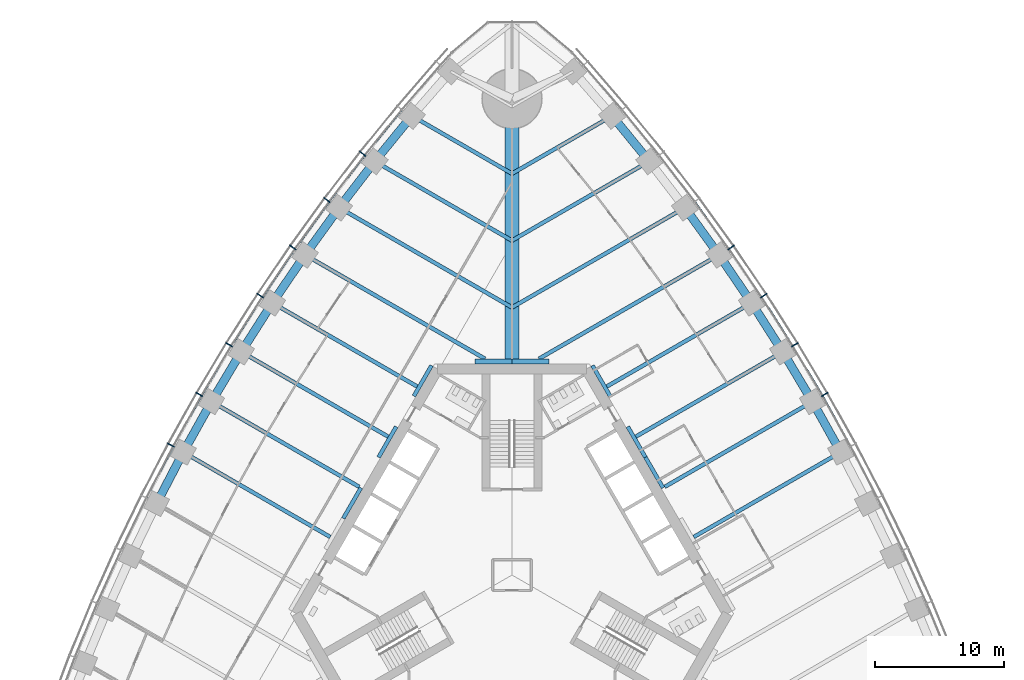
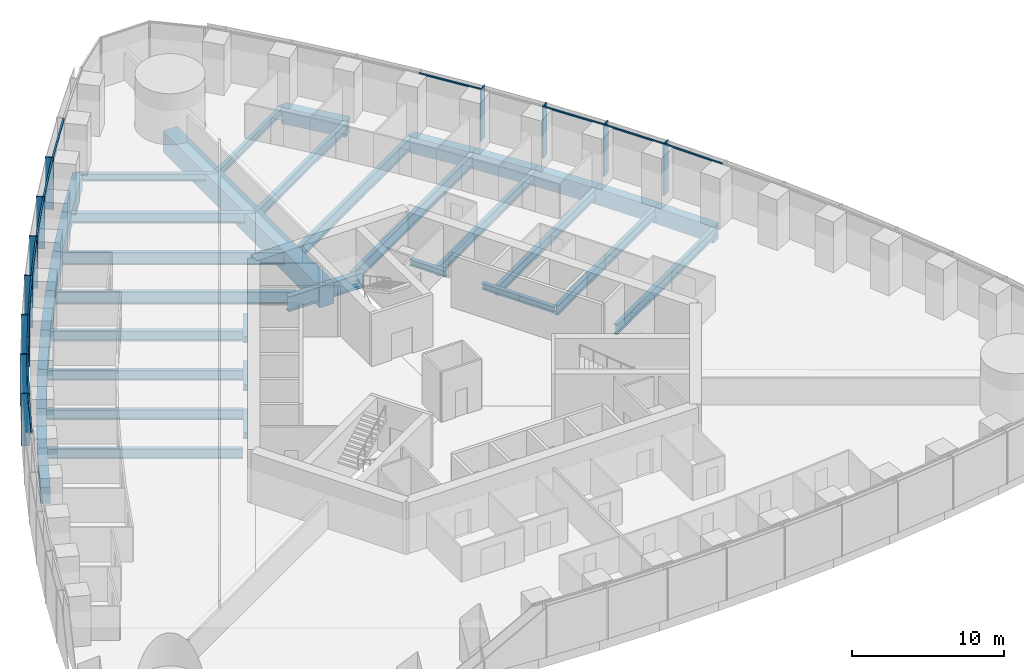
# One storey, part 4 of 18: 39 beams, 23 members, 2 elements without a shape of their own.
"""IFC4 building model written with IfcOpenShell, lengths in metres."""

from ifc_helpers import new_model, si_unit, direction, frame, origin, origin_2d, place, context, subcontext, project, spatial, rectangle, i_section, extrude, material, material_profile, profile_set, type_object, element, aggregate, save


model = new_model("IFC4")

# Units and contexts
model_context = context("Model", 3, precision=1e-05, world=origin(), true_north=direction((0.0, 1.0)))
body_context = subcontext(model_context, "Body", "Model", "MODEL_VIEW")
ifc_project = project(units=[si_unit("LENGTHUNIT", "METRE"), si_unit("AREAUNIT", "SQUARE_METRE"), si_unit("VOLUMEUNIT", "CUBIC_METRE"), si_unit("PLANEANGLEUNIT", "RADIAN"), si_unit("MASSUNIT", "GRAM", prefix="KILO")], contexts=[model_context])

# Site, building, storey
site_placement = place(None, origin())
site = spatial("IfcSite", under=ifc_project, at=site_placement, CompositionType="ELEMENT")
building_placement = place(site_placement, origin())
building = spatial("IfcBuilding", under=site, at=building_placement, Name="Trefoil Bronze Tower", CompositionType="ELEMENT")
storey_placement = place(building_placement, frame((0.0, 0.0, 24.89990234375)))
storey = spatial("IfcBuildingStorey", under=building, at=storey_placement, Name="L05", CompositionType="ELEMENT", Elevation=24.89990234375)

# Curtain wall, members
ifc_material_1 = material(Name="Tinted solar-control glass", Category="glass")
curtain_wall_type = type_object("IfcCurtainWallType", Name="Bronze office curtain wall", PredefinedType="USERDEFINED", material=ifc_material_1)
curtain_wall_1_placement = place(storey_placement, origin())
curtain_wall_1 = element("IfcCurtainWall", 1, at=curtain_wall_1_placement, inside=storey, type_object=curtain_wall_type, Name="CW-A L05 F2", ObjectType="CURTAIN WALL", PredefinedType="USERDEFINED")
ifc_material_2 = material(Name="Bronze-finish aluminium", Category="aluminium")
ifc_material_profile_1 = material_profile(ifc_material_2, rectangle(XDim=0.60009765625, YDim=0.080078125, at=origin_2d()), Name="CW-A mullion")
ifc_profile_set_1 = profile_set([ifc_material_profile_1], Name="Bronze-finish aluminium")
member_type_1 = type_object("IfcMemberType", Name="Bronze office curtain wall mullion", PredefinedType="MULLION", material=ifc_profile_set_1)
member_1_placement = place(storey_placement, frame((24.291015625, 14.0244140625, 0.0), z_axis=(0.0, 0.0, 1.0), x_axis=(-0.866025403784, -0.5, 0.0)))
member_1 = element("IfcMember", 2, at=member_1_placement, type_object=member_type_1, Name="CW-A L05 F2 mullion 9", PredefinedType="MULLION", context=body_context, shape_type="SweptSolid", body=[
    extrude(rectangle(XDim=0.60009765625, YDim=0.080078125, at=origin_2d()), origin(), (0.0, 0.0, 1.0), 4.18017578125),
])
member_2_placement = place(storey_placement, frame((21.97998046875, 17.896240234375, 0.0), z_axis=(0.0, 0.0, 1.0), x_axis=(-0.851149783004, -0.524922896141, 0.0)))
member_2 = element("IfcMember", 3, at=member_2_placement, type_object=member_type_1, Name="CW-A L05 F2 mullion 10", PredefinedType="MULLION", context=body_context, shape_type="SweptSolid", body=[
    extrude(rectangle(XDim=0.60009765625, YDim=0.080078125, at=origin_2d()), origin(), (0.0, 0.0, 1.0), 4.18017578125),
])
member_3_placement = place(storey_placement, frame((19.555419921875, 21.70263671875, 0.0), z_axis=(0.0, 0.0, 1.0), x_axis=(-0.835543651684, -0.549424067665, 0.0)))
member_3 = element("IfcMember", 4, at=member_3_placement, type_object=member_type_1, Name="CW-A L05 F2 mullion 11", PredefinedType="MULLION", context=body_context, shape_type="SweptSolid", body=[
    extrude(rectangle(XDim=0.60009765625, YDim=0.080078125, at=origin_2d()), origin(), (0.0, 0.0, 1.0), 4.18017578125),
])
member_4_placement = place(storey_placement, frame((17.01708984375, 25.443359375, 0.0), z_axis=(0.0, 0.0, 1.0), x_axis=(-0.819204207116, -0.573501932903, 0.0)))
member_4 = element("IfcMember", 5, at=member_4_placement, type_object=member_type_1, Name="CW-A L05 F2 mullion 12", PredefinedType="MULLION", context=body_context, shape_type="SweptSolid", body=[
    extrude(rectangle(XDim=0.60009765625, YDim=0.080078125, at=origin_2d()), origin(), (0.0, 0.0, 1.0), 4.18017578125),
])

curtain_wall_2_placement = place(storey_placement, origin())
curtain_wall_2 = element("IfcCurtainWall", 6, at=curtain_wall_2_placement, inside=storey, type_object=curtain_wall_type, Name="CW-A L05 F3", ObjectType="CURTAIN WALL", PredefinedType="USERDEFINED")
member_5_placement = place(storey_placement, frame((-11.595458984375, 32.7255859375, 0.0), z_axis=(0.0, 0.0, 1.0), x_axis=(0.784304615744, -0.620375910011, 0.0)))
member_5 = element("IfcMember", 7, at=member_5_placement, type_object=member_type_1, Name="CW-A L05 F3 mullion 4", PredefinedType="MULLION", context=body_context, shape_type="SweptSolid", body=[
    extrude(rectangle(XDim=0.60009765625, YDim=0.080078125, at=origin_2d()), origin(), (0.0, 0.0, 1.0), 4.18017578125),
])
member_6_placement = place(storey_placement, frame((-14.364013671875, 29.117919921875, 0.0), z_axis=(0.0, 0.0, 1.0), x_axis=(0.802126748469, -0.59715381552, 0.0)))
member_6 = element("IfcMember", 8, at=member_6_placement, type_object=member_type_1, Name="CW-A L05 F3 mullion 5", PredefinedType="MULLION", context=body_context, shape_type="SweptSolid", body=[
    extrude(rectangle(XDim=0.60009765625, YDim=0.080078125, at=origin_2d()), origin(), (0.0, 0.0, 1.0), 4.18017578125),
])
member_7_placement = place(storey_placement, frame((-17.01708984375, 25.443359375, 0.0), z_axis=(0.0, 0.0, 1.0), x_axis=(0.819204207116, -0.573501932903, 0.0)))
member_7 = element("IfcMember", 9, at=member_7_placement, type_object=member_type_1, Name="CW-A L05 F3 mullion 6", PredefinedType="MULLION", context=body_context, shape_type="SweptSolid", body=[
    extrude(rectangle(XDim=0.60009765625, YDim=0.080078125, at=origin_2d()), origin(), (0.0, 0.0, 1.0), 4.18017578125),
])
member_8_placement = place(storey_placement, frame((-19.555419921875, 21.70263671875, 0.0), z_axis=(0.0, 0.0, 1.0), x_axis=(0.835543651684, -0.549424067665, 0.0)))
member_8 = element("IfcMember", 10, at=member_8_placement, type_object=member_type_1, Name="CW-A L05 F3 mullion 7", PredefinedType="MULLION", context=body_context, shape_type="SweptSolid", body=[
    extrude(rectangle(XDim=0.60009765625, YDim=0.080078125, at=origin_2d()), origin(), (0.0, 0.0, 1.0), 4.18017578125),
])
member_9_placement = place(storey_placement, frame((-21.97998046875, 17.896240234375, 0.0), z_axis=(0.0, 0.0, 1.0), x_axis=(0.851149783004, -0.524922896141, 0.0)))
member_9 = element("IfcMember", 11, at=member_9_placement, type_object=member_type_1, Name="CW-A L05 F3 mullion 8", PredefinedType="MULLION", context=body_context, shape_type="SweptSolid", body=[
    extrude(rectangle(XDim=0.60009765625, YDim=0.080078125, at=origin_2d()), origin(), (0.0, 0.0, 1.0), 4.18017578125),
])
member_10_placement = place(storey_placement, frame((-24.291015625, 14.0244140625, 0.0), z_axis=(0.0, 0.0, 1.0), x_axis=(0.866025403784, -0.5, 0.0)))
member_10 = element("IfcMember", 12, at=member_10_placement, type_object=member_type_1, Name="CW-A L05 F3 mullion 9", PredefinedType="MULLION", context=body_context, shape_type="SweptSolid", body=[
    extrude(rectangle(XDim=0.60009765625, YDim=0.080078125, at=origin_2d()), origin(), (0.0, 0.0, 1.0), 4.18017578125),
])
member_11_placement = place(storey_placement, frame((-26.488525390625, 10.0869140625, 0.0), z_axis=(0.0, 0.0, 1.0), x_axis=(0.880171454588, -0.474655886437, 0.0)))
member_11 = element("IfcMember", 13, at=member_11_placement, type_object=member_type_1, Name="CW-A L05 F3 mullion 10", PredefinedType="MULLION", context=body_context, shape_type="SweptSolid", body=[
    extrude(rectangle(XDim=0.60009765625, YDim=0.080078125, at=origin_2d()), origin(), (0.0, 0.0, 1.0), 4.18017578125),
])

# Member
ifc_material_3 = material(Name="Bronze-finish aluminium", Category="aluminium")
ifc_material_profile_2 = material_profile(ifc_material_3, rectangle(XDim=0.1201171875, YDim=0.10009765625, at=origin_2d()), Name="CW-A transom")
ifc_profile_set_2 = profile_set([ifc_material_profile_2], Name="Bronze-finish aluminium")
member_type_2 = type_object("IfcMemberType", Name="Bronze office curtain wall transom", PredefinedType="USERDEFINED", material=ifc_profile_set_2)
member_12_placement = place(storey_placement, frame((26.29248046875, 10.0283203125, 4.130126953125), z_axis=(-0.487400435348, 0.873178570295, 0.0), x_axis=(-0.873178570295, -0.487400435348, 0.0)))
member_12 = element("IfcMember", 14, at=member_12_placement, type_object=member_type_2, Name="CW-A L05 F2 transom 8", ObjectType="TRANSOM", PredefinedType="USERDEFINED", context=body_context, shape_type="SweptSolid", body=[
    extrude(rectangle(XDim=0.1201171875, YDim=0.10009765625, at=origin_2d()), origin(), (0.0, 0.0, 1.0), 4.42041015625),
])

member_13_placement = place(storey_placement, frame((24.096435546875, 13.9599609375, 4.130126953125), z_axis=(-0.512536988879, 0.858665147209, 0.0), x_axis=(-0.858665147209, -0.512536988879, 0.0)))
member_13 = element("IfcMember", 15, at=member_13_placement, type_object=member_type_2, Name="CW-A L05 F2 transom 9", ObjectType="TRANSOM", PredefinedType="USERDEFINED", context=body_context, shape_type="SweptSolid", body=[
    extrude(rectangle(XDim=0.1201171875, YDim=0.10009765625, at=origin_2d()), origin(), (0.0, 0.0, 1.0), 4.42041015625),
])

member_14_placement = place(storey_placement, frame((21.787353515625, 17.826171875, 4.130126953125), z_axis=(-0.537196807268, 0.843456928515, 0.0), x_axis=(-0.843456928515, -0.537196807268, 0.0)))
member_14 = element("IfcMember", 16, at=member_14_placement, type_object=member_type_2, Name="CW-A L05 F2 transom 10", ObjectType="TRANSOM", PredefinedType="USERDEFINED", context=body_context, shape_type="SweptSolid", body=[
    extrude(rectangle(XDim=0.1201171875, YDim=0.10009765625, at=origin_2d()), origin(), (0.0, 0.0, 1.0), 4.42431640625),
])

member_15_placement = place(storey_placement, frame((16.828857421875, 25.3623046875, 4.130126953125), z_axis=(-0.585378207433, 0.81076035563, 0.0), x_axis=(-0.81076035563, -0.585378207433, 0.0)))
member_15 = element("IfcMember", 17, at=member_15_placement, type_object=member_type_2, Name="CW-A L05 F2 transom 12", ObjectType="TRANSOM", PredefinedType="USERDEFINED", context=body_context, shape_type="SweptSolid", body=[
    extrude(rectangle(XDim=0.1201171875, YDim=0.10009765625, at=origin_2d()), origin(), (0.0, 0.0, 1.0), 4.443359375),
])

aggregate(curtain_wall_1, [member_1, member_2, member_3, member_4, member_12, member_13, member_14, member_15])

member_16_placement = place(storey_placement, frame((-8.582763671875, 36.10498046875, 4.130126953125), z_axis=(-0.631835540201, -0.775102477185, 0.0), x_axis=(0.775102477185, -0.631835540201, 0.0)))
member_16 = element("IfcMember", 18, at=member_16_placement, type_object=member_type_2, Name="CW-A L05 F3 transom 3", ObjectType="TRANSOM", PredefinedType="USERDEFINED", context=body_context, shape_type="SweptSolid", body=[
    extrude(rectangle(XDim=0.1201171875, YDim=0.10009765625, at=origin_2d()), origin(), (0.0, 0.0, 1.0), 4.478271484375),
])

member_17_placement = place(storey_placement, frame((-11.4638671875, 32.568603515625, 4.130126953125), z_axis=(-0.608829203216, -0.793301330713, 0.0), x_axis=(0.793301330713, -0.608829203216, 0.0)))
member_17 = element("IfcMember", 19, at=member_17_placement, type_object=member_type_2, Name="CW-A L05 F3 transom 4", ObjectType="TRANSOM", PredefinedType="USERDEFINED", context=body_context, shape_type="SweptSolid", body=[
    extrude(rectangle(XDim=0.1201171875, YDim=0.10009765625, at=origin_2d()), origin(), (0.0, 0.0, 1.0), 4.458740234375),
])

member_18_placement = place(storey_placement, frame((-14.227783203125, 28.96484375, 4.130126953125), z_axis=(-0.585378207433, -0.81076035563, 0.0), x_axis=(0.81076035563, -0.585378207433, 0.0)))
member_18 = element("IfcMember", 20, at=member_18_placement, type_object=member_type_2, Name="CW-A L05 F3 transom 5", ObjectType="TRANSOM", PredefinedType="USERDEFINED", context=body_context, shape_type="SweptSolid", body=[
    extrude(rectangle(XDim=0.1201171875, YDim=0.10009765625, at=origin_2d()), origin(), (0.0, 0.0, 1.0), 4.443359375),
])

member_19_placement = place(storey_placement, frame((-16.87646484375, 25.29443359375, 4.130126953125), z_axis=(-0.561508153923, -0.827471203775, 0.0), x_axis=(0.827471203775, -0.561508153923, 0.0)))
member_19 = element("IfcMember", 21, at=member_19_placement, type_object=member_type_2, Name="CW-A L05 F3 transom 6", ObjectType="TRANSOM", PredefinedType="USERDEFINED", context=body_context, shape_type="SweptSolid", body=[
    extrude(rectangle(XDim=0.1201171875, YDim=0.10009765625, at=origin_2d()), origin(), (0.0, 0.0, 1.0), 4.431884765625),
])

member_20_placement = place(storey_placement, frame((-19.41064453125, 21.557861328125, 4.130126953125), z_axis=(-0.537196807268, -0.843456928515, 0.0), x_axis=(0.843456928515, -0.537196807268, 0.0)))
member_20 = element("IfcMember", 22, at=member_20_placement, type_object=member_type_2, Name="CW-A L05 F3 transom 7", ObjectType="TRANSOM", PredefinedType="USERDEFINED", context=body_context, shape_type="SweptSolid", body=[
    extrude(rectangle(XDim=0.1201171875, YDim=0.10009765625, at=origin_2d()), origin(), (0.0, 0.0, 1.0), 4.42431640625),
])

member_21_placement = place(storey_placement, frame((-21.830810546875, 17.755615234375, 4.130126953125), z_axis=(-0.512536988879, -0.858665147209, 0.0), x_axis=(0.858665147209, -0.512536988879, 0.0)))
member_21 = element("IfcMember", 23, at=member_21_placement, type_object=member_type_2, Name="CW-A L05 F3 transom 8", ObjectType="TRANSOM", PredefinedType="USERDEFINED", context=body_context, shape_type="SweptSolid", body=[
    extrude(rectangle(XDim=0.1201171875, YDim=0.10009765625, at=origin_2d()), origin(), (0.0, 0.0, 1.0), 4.42041015625),
])

member_22_placement = place(storey_placement, frame((-24.137939453125, 13.88818359375, 4.130126953125), z_axis=(-0.487400435348, -0.873178570295, 0.0), x_axis=(0.873178570295, -0.487400435348, 0.0)))
member_22 = element("IfcMember", 24, at=member_22_placement, type_object=member_type_2, Name="CW-A L05 F3 transom 9", ObjectType="TRANSOM", PredefinedType="USERDEFINED", context=body_context, shape_type="SweptSolid", body=[
    extrude(rectangle(XDim=0.1201171875, YDim=0.10009765625, at=origin_2d()), origin(), (0.0, 0.0, 1.0), 4.42041015625),
])

member_23_placement = place(storey_placement, frame((-26.331787109375, 9.955322265625, 4.130126953125), z_axis=(-0.461809621225, -0.886979071762, 0.0), x_axis=(0.886979071762, -0.461809621225, 0.0)))
member_23 = element("IfcMember", 25, at=member_23_placement, type_object=member_type_2, Name="CW-A L05 F3 transom 10", ObjectType="TRANSOM", PredefinedType="USERDEFINED", context=body_context, shape_type="SweptSolid", body=[
    extrude(rectangle(XDim=0.1201171875, YDim=0.10009765625, at=origin_2d()), origin(), (0.0, 0.0, 1.0), 4.42431640625),
])

aggregate(curtain_wall_2, [member_5, member_6, member_7, member_8, member_9, member_10, member_11, member_16, member_17, member_18, member_19, member_20, member_21, member_22, member_23])

# Beams
ifc_material_4 = material(Name="Steel C355", Category="steel")
ifc_material_profile_3 = material_profile(ifc_material_4, i_section(OverallWidth=0.300048828125, OverallDepth=0.5, WebThickness=0.014404296875, FlangeThickness=0.028076171875, FilletRadius=0.027099609375, at=origin_2d()), Name="HEB 500")
ifc_profile_set_3 = profile_set([ifc_material_profile_3], Name="Steel C355")
beam_type_1 = type_object("IfcBeamType", Name="Core seat beam HEB 500", PredefinedType="BEAM", material=ifc_profile_set_3)
for number, where, z_axis, x_axis, name in (
    (26, (11.734619140625, 6.77490234375, -0.449951171875), (-0.499969057507, 0.866043267704, 0.0), (-0.866043267704, -0.499969057507, 0.0), "Core seat beam F2/+0 L05"),
    (27, (10.363525390625, 9.14990234375, -0.449951171875), (-0.500035825175, 0.866004719122, 0.0), (-0.866004719122, -0.500035825175, 0.0), "Core seat beam F2/+1 L05"),
    (28, (7.62109375, 13.89990234375, -0.449951171875), (-0.500035825175, 0.866004719122, 0.0), (-0.866004719122, -0.500035825175, 0.0), "Core seat beam F2/+2 L05"),
    (29, (-6.249755859375, 16.27490234375, -0.449951171875), (-0.500035825175, -0.866004719122, 0.0), (0.866004719122, -0.500035825175, 0.0), "Core seat beam F3/-2 L05"),
    (30, (-8.9921875, 11.52490234375, -0.449951171875), (-0.500035825175, -0.866004719122, 0.0), (0.866004719122, -0.500035825175, 0.0), "Core seat beam F3/-1 L05"),
    (31, (-11.734619140625, 6.77490234375, -0.449951171875), (-0.500035825175, -0.866004719122, 0.0), (0.866004719122, -0.500035825175, 0.0), "Core seat beam F3/+0 L05"),
):
    element("IfcBeam", number, at=place(storey_placement, frame(where, z_axis=z_axis, x_axis=x_axis)), inside=storey, type_object=beam_type_1, Name=name, PredefinedType="BEAM", context=body_context, shape_type="SweptSolid", body=[
        extrude(i_section(OverallWidth=0.300048828125, OverallDepth=0.5, WebThickness=0.014404296875, FlangeThickness=0.028076171875, FilletRadius=0.027099609375, at=origin_2d()), origin(), (0.0, 0.0, 1.0), 2.742431640625),
    ])
ifc_material_5 = material(Name="Steel C355", Category="steel")
ifc_material_profile_4 = material_profile(ifc_material_5, i_section(OverallWidth=0.39990234375, OverallDepth=1.199951171875, WebThickness=0.02001953125, FlangeThickness=0.0400390625, FilletRadius=0.010009765625, at=origin_2d()), Name="WPG 1200")
ifc_profile_set_4 = profile_set([ifc_material_profile_4], Name="Steel C355")
beam_type_2 = type_object("IfcBeamType", Name="Core seat beam WPG 1200", PredefinedType="BEAM", material=ifc_profile_set_4)
for number, where, z_axis, x_axis, name in (
    (32, (2.88671875, 16.60009765625, -0.7998046875), (-1.0, 0.0, 0.0), (0.0, -1.0, 0.0), "Core seat beam F2/+3 L05"),
    (33, (0.0, 16.60009765625, -0.7998046875), (-1.0, 0.0, 0.0), (0.0, -1.0, 0.0), "Core seat beam F3/-3 L05"),
):
    element("IfcBeam", number, at=place(storey_placement, frame(where, z_axis=z_axis, x_axis=x_axis)), inside=storey, type_object=beam_type_2, Name=name, PredefinedType="BEAM", context=body_context, shape_type="SweptSolid", body=[
        extrude(i_section(OverallWidth=0.39990234375, OverallDepth=1.199951171875, WebThickness=0.02001953125, FlangeThickness=0.0400390625, FilletRadius=0.010009765625, at=origin_2d()), origin(), (0.0, 0.0, 1.0), 2.88671875),
    ])
ifc_material_6 = material(Name="Concrete B80", Category="concrete")
ifc_material_profile_5 = material_profile(ifc_material_6, rectangle(XDim=1.10009765625, YDim=1.699951171875, at=origin_2d()), Name="RC 1100x1700")
ifc_profile_set_5 = profile_set([ifc_material_profile_5], Name="Concrete B80")
beam_type_3 = type_object("IfcBeamType", Name="Corner girder RC 1100x1700", PredefinedType="BEAM", material=ifc_profile_set_5)
beam_1_placement = place(storey_placement, frame((0.0, 16.39990234375, -1.0498046875), z_axis=(0.0, 1.0, 0.0), x_axis=(-1.0, 0.0, 0.0)))
element("IfcBeam", 34, at=beam_1_placement, inside=storey, type_object=beam_type_3, Name="Corner girder K2 L05", PredefinedType="BEAM", context=body_context, shape_type="SweptSolid", body=[
    extrude(rectangle(XDim=1.10009765625, YDim=1.699951171875, at=origin_2d()), origin(), (0.0, 0.0, 1.0), 20.60009765625),
])
ifc_material_7 = material(Name="Steel C355", Category="steel")
ifc_material_profile_6 = material_profile(ifc_material_7, i_section(OverallWidth=0.300048828125, OverallDepth=0.590087890625, WebThickness=0.012939453125, FlangeThickness=0.02490234375, FilletRadius=0.027099609375, at=origin_2d()), Name="HEA 600")
ifc_profile_set_6 = profile_set([ifc_material_profile_6], Name="Steel C355")
beam_type_4 = type_object("IfcBeamType", Name="Floor beam HEA 600", PredefinedType="BEAM", material=ifc_profile_set_6)
for number, where, z_axis, x_axis, name in (
    (35, (7.7763671875, 35.666748046875, -0.494873046875), (-0.866022587327, -0.500004878216, 0.0), (0.500004878216, -0.866022587327, 0.0), "Floor beam F2/+6 L05"),
    (36, (-7.7763671875, 35.666748046875, -0.494873046875), (0.866022587327, -0.500004878216, 0.0), (0.500004878216, 0.866022587327, 0.0), "Floor beam F3/-6 L05"),
):
    element("IfcBeam", number, at=place(storey_placement, frame(where, z_axis=z_axis, x_axis=x_axis)), inside=storey, type_object=beam_type_4, Name=name, PredefinedType="BEAM", context=body_context, shape_type="SweptSolid", body=[
        extrude(i_section(OverallWidth=0.300048828125, OverallDepth=0.590087890625, WebThickness=0.012939453125, FlangeThickness=0.02490234375, FilletRadius=0.027099609375, at=origin_2d()), origin(), (0.0, 0.0, 1.0), 8.9794921875),
    ])
ifc_material_8 = material(Name="Steel C355", Category="steel")
ifc_material_profile_7 = material_profile(ifc_material_8, i_section(OverallWidth=0.300048828125, OverallDepth=1.0, WebThickness=0.01904296875, FlangeThickness=0.035888671875, FilletRadius=0.030029296875, at=origin_2d()), Name="HEB 1000")
ifc_profile_set_7 = profile_set([ifc_material_profile_7], Name="Steel C355")
beam_type_5 = type_object("IfcBeamType", Name="Floor beam HEB 1000", PredefinedType="BEAM", material=ifc_profile_set_7)
for number, where, z_axis, x_axis, name in (
    (37, (13.42578125, 28.5361328125, -0.699951171875), (-0.866022989816, -0.500004181093, 0.0), (0.500004181093, -0.866022989816, 0.0), "Floor beam F2/+4 L05"),
    (38, (-13.42578125, 28.5361328125, -0.699951171875), (0.866022989816, -0.500004181093, 0.0), (0.500004181093, 0.866022989816, 0.0), "Floor beam F3/-4 L05"),
):
    element("IfcBeam", number, at=place(storey_placement, frame(where, z_axis=z_axis, x_axis=x_axis)), inside=storey, type_object=beam_type_5, Name=name, PredefinedType="BEAM", context=body_context, shape_type="SweptSolid", body=[
        extrude(i_section(OverallWidth=0.300048828125, OverallDepth=1.0, WebThickness=0.01904296875, FlangeThickness=0.035888671875, FilletRadius=0.030029296875, at=origin_2d()), origin(), (0.0, 0.0, 1.0), 15.502685546875),
    ])
ifc_material_9 = material(Name="Steel C355", Category="steel")
ifc_material_profile_8 = material_profile(ifc_material_9, i_section(OverallWidth=0.300048828125, OverallDepth=0.800048828125, WebThickness=0.017578125, FlangeThickness=0.032958984375, FilletRadius=0.030029296875, at=origin_2d()), Name="HEB 800")
ifc_profile_set_8 = profile_set([ifc_material_profile_8], Name="Steel C355")
beam_type_6 = type_object("IfcBeamType", Name="Floor beam HEB 800", PredefinedType="BEAM", material=ifc_profile_set_8)
beam_2_placement = place(storey_placement, frame((25.531494140625, 9.54443359375, -0.599853515625), z_axis=(-0.866027071639, -0.499997111179, 0.0), x_axis=(0.499997111179, -0.866027071639, 0.0)))
element("IfcBeam", 39, at=beam_2_placement, inside=storey, type_object=beam_type_6, Name="Floor beam F2/-1 L05", PredefinedType="BEAM", context=body_context, shape_type="SweptSolid", body=[
    extrude(i_section(OverallWidth=0.300048828125, OverallDepth=0.800048828125, WebThickness=0.017578125, FlangeThickness=0.032958984375, FilletRadius=0.030029296875, at=origin_2d()), origin(), (0.0, 0.0, 1.0), 13.18310546875),
])
beam_3_placement = place(storey_placement, frame((23.33837890625, 13.474365234375, -0.599853515625), z_axis=(-0.866031233401, -0.499989902672, 0.0), x_axis=(0.499989902672, -0.866031233401, 0.0)))
element("IfcBeam", 40, at=beam_3_placement, inside=storey, type_object=beam_type_6, Name="Floor beam F2/+0 L05", PredefinedType="BEAM", context=body_context, shape_type="SweptSolid", body=[
    extrude(i_section(OverallWidth=0.300048828125, OverallDepth=0.800048828125, WebThickness=0.017578125, FlangeThickness=0.032958984375, FilletRadius=0.030029296875, at=origin_2d()), origin(), (0.0, 0.0, 1.0), 13.248779296875),
])
beam_4_placement = place(storey_placement, frame((21.031494140625, 17.338623046875, -0.599853515625), z_axis=(-0.866027071639, -0.499997111179, 0.0), x_axis=(0.499997111179, -0.866027071639, 0.0)))
element("IfcBeam", 41, at=beam_4_placement, inside=storey, type_object=beam_type_6, Name="Floor beam F2/+1 L05", PredefinedType="BEAM", context=body_context, shape_type="SweptSolid", body=[
    extrude(i_section(OverallWidth=0.300048828125, OverallDepth=0.800048828125, WebThickness=0.017578125, FlangeThickness=0.032958984375, FilletRadius=0.030029296875, at=origin_2d()), origin(), (0.0, 0.0, 1.0), 13.18310546875),
])
beam_5_placement = place(storey_placement, frame((18.61083984375, 21.13720703125, -0.599853515625), z_axis=(-0.866030615021, -0.499990973765, 0.0), x_axis=(0.499990973765, -0.866030615021, 0.0)))
element("IfcBeam", 42, at=beam_5_placement, inside=storey, type_object=beam_type_6, Name="Floor beam F2/+2 L05", PredefinedType="BEAM", context=body_context, shape_type="SweptSolid", body=[
    extrude(i_section(OverallWidth=0.300048828125, OverallDepth=0.800048828125, WebThickness=0.017578125, FlangeThickness=0.032958984375, FilletRadius=0.030029296875, at=origin_2d()), origin(), (0.0, 0.0, 1.0), 12.986083984375),
])
for number, where, z_axis, x_axis, name in (
    (43, (10.659912109375, 32.13525390625, -0.599853515625), (-0.866024070878, -0.500002308654, 0.0), (0.500002308654, -0.866024070878, 0.0), "Floor beam F2/+5 L05"),
    (44, (-10.659912109375, 32.13525390625, -0.599853515625), (0.866024070878, -0.500002308654, 0.0), (0.500002308654, 0.866024070878, 0.0), "Floor beam F3/-5 L05"),
):
    element("IfcBeam", number, at=place(storey_placement, frame(where, z_axis=z_axis, x_axis=x_axis)), inside=storey, type_object=beam_type_6, Name=name, PredefinedType="BEAM", context=body_context, shape_type="SweptSolid", body=[
        extrude(i_section(OverallWidth=0.300048828125, OverallDepth=0.800048828125, WebThickness=0.017578125, FlangeThickness=0.032958984375, FilletRadius=0.030029296875, at=origin_2d()), origin(), (0.0, 0.0, 1.0), 12.30908203125),
    ])
beam_6_placement = place(storey_placement, frame((-18.61083984375, 21.13720703125, -0.599853515625), z_axis=(0.866030615021, -0.499990973765, 0.0), x_axis=(0.499990973765, 0.866030615021, 0.0)))
element("IfcBeam", 45, at=beam_6_placement, inside=storey, type_object=beam_type_6, Name="Floor beam F3/-2 L05", PredefinedType="BEAM", context=body_context, shape_type="SweptSolid", body=[
    extrude(i_section(OverallWidth=0.300048828125, OverallDepth=0.800048828125, WebThickness=0.017578125, FlangeThickness=0.032958984375, FilletRadius=0.030029296875, at=origin_2d()), origin(), (0.0, 0.0, 1.0), 12.986083984375),
])
beam_7_placement = place(storey_placement, frame((-21.031494140625, 17.338623046875, -0.599853515625), z_axis=(0.866027071639, -0.499997111179, 0.0), x_axis=(0.499997111179, 0.866027071639, 0.0)))
element("IfcBeam", 46, at=beam_7_placement, inside=storey, type_object=beam_type_6, Name="Floor beam F3/-1 L05", PredefinedType="BEAM", context=body_context, shape_type="SweptSolid", body=[
    extrude(i_section(OverallWidth=0.300048828125, OverallDepth=0.800048828125, WebThickness=0.017578125, FlangeThickness=0.032958984375, FilletRadius=0.030029296875, at=origin_2d()), origin(), (0.0, 0.0, 1.0), 13.18310546875),
])
beam_8_placement = place(storey_placement, frame((-23.33837890625, 13.474365234375, -0.599853515625), z_axis=(0.866031233401, -0.499989902672, 0.0), x_axis=(0.499989902672, 0.866031233401, 0.0)))
element("IfcBeam", 47, at=beam_8_placement, inside=storey, type_object=beam_type_6, Name="Floor beam F3/+0 L05", PredefinedType="BEAM", context=body_context, shape_type="SweptSolid", body=[
    extrude(i_section(OverallWidth=0.300048828125, OverallDepth=0.800048828125, WebThickness=0.017578125, FlangeThickness=0.032958984375, FilletRadius=0.030029296875, at=origin_2d()), origin(), (0.0, 0.0, 1.0), 13.248779296875),
])
beam_9_placement = place(storey_placement, frame((-25.531494140625, 9.54443359375, -0.599853515625), z_axis=(0.866027071639, -0.499997111179, 0.0), x_axis=(0.499997111179, 0.866027071639, 0.0)))
element("IfcBeam", 48, at=beam_9_placement, inside=storey, type_object=beam_type_6, Name="Floor beam F3/+1 L05", PredefinedType="BEAM", context=body_context, shape_type="SweptSolid", body=[
    extrude(i_section(OverallWidth=0.300048828125, OverallDepth=0.800048828125, WebThickness=0.017578125, FlangeThickness=0.032958984375, FilletRadius=0.030029296875, at=origin_2d()), origin(), (0.0, 0.0, 1.0), 13.18310546875),
])
ifc_material_10 = material(Name="Steel C355", Category="steel")
ifc_material_profile_9 = material_profile(ifc_material_10, i_section(OverallWidth=0.302001953125, OverallDepth=1.008056640625, WebThickness=0.02099609375, FlangeThickness=0.0400390625, FilletRadius=0.030029296875, at=origin_2d()), Name="HEM 1000")
ifc_profile_set_9 = profile_set([ifc_material_profile_9], Name="Steel C355")
beam_type_7 = type_object("IfcBeamType", Name="Floor beam HEM 1000", PredefinedType="BEAM", material=ifc_profile_set_9)
for number, where, z_axis, x_axis, name in (
    (49, (16.075927734375, 24.869873046875, -0.703857421875), (-0.866028401131, -0.499994808408, 0.0), (0.499994808408, -0.866028401131, 0.0), "Floor beam F2/+3 L05"),
    (50, (-16.075927734375, 24.869873046875, -0.703857421875), (0.866028401131, -0.499994808408, 0.0), (0.499994808408, 0.866028401131, 0.0), "Floor beam F3/-3 L05"),
):
    element("IfcBeam", number, at=place(storey_placement, frame(where, z_axis=z_axis, x_axis=x_axis)), inside=storey, type_object=beam_type_7, Name=name, PredefinedType="BEAM", context=body_context, shape_type="SweptSolid", body=[
        extrude(i_section(OverallWidth=0.302001953125, OverallDepth=1.008056640625, WebThickness=0.02099609375, FlangeThickness=0.0400390625, FilletRadius=0.030029296875, at=origin_2d()), origin(), (0.0, 0.0, 1.0), 16.139892578125),
    ])
ifc_material_11 = material(Name="Concrete B80", Category="concrete")
ifc_material_profile_10 = material_profile(ifc_material_11, rectangle(XDim=0.64990234375, YDim=1.300048828125, at=origin_2d()), Name="RC 650x1300")
ifc_profile_set_10 = profile_set([ifc_material_profile_10], Name="Concrete B80")
beam_type_8 = type_object("IfcBeamType", Name="Spandrel beam RC 650x1300", PredefinedType="SPANDREL", material=ifc_profile_set_10)
for number, where, z_axis, x_axis, name in (
    (51, (25.531494140625, 9.54443359375, -0.849853515625), (-0.487309404804, 0.873229376504, 0.0), (-0.873229376504, -0.487309404804, 0.0), "Spandrel F2.8 L05"),
    (52, (23.33837890625, 13.474365234375, -0.849853515625), (-0.512587831591, 0.858634797166, 0.0), (-0.858634797166, -0.512587831591, 0.0), "Spandrel F2.9 L05"),
):
    element("IfcBeam", number, at=place(storey_placement, frame(where, z_axis=z_axis, x_axis=x_axis)), inside=storey, type_object=beam_type_8, Name=name, PredefinedType="SPANDREL", context=body_context, shape_type="SweptSolid", body=[
        extrude(rectangle(XDim=0.64990234375, YDim=1.300048828125, at=origin_2d()), origin(), (0.0, 0.0, 1.0), 4.50048828125),
    ])
beam_10_placement = place(storey_placement, frame((21.031494140625, 17.338623046875, -0.849853515625), z_axis=(-0.537408473305, 0.843322081307, 0.0), x_axis=(-0.843322081307, -0.537408473305, 0.0)))
element("IfcBeam", 53, at=beam_10_placement, inside=storey, type_object=beam_type_8, Name="Spandrel F2.10 L05", PredefinedType="SPANDREL", context=body_context, shape_type="SweptSolid", body=[
    extrude(rectangle(XDim=0.64990234375, YDim=1.300048828125, at=origin_2d()), origin(), (0.0, 0.0, 1.0), 4.50439453125),
])
beam_11_placement = place(storey_placement, frame((18.61083984375, 21.13720703125, -0.849853515625), z_axis=(-0.561809680291, 0.827266512758, 0.0), x_axis=(-0.827266512758, -0.561809680291, 0.0)))
element("IfcBeam", 54, at=beam_11_placement, inside=storey, type_object=beam_type_8, Name="Spandrel F2.11 L05", PredefinedType="SPANDREL", context=body_context, shape_type="SweptSolid", body=[
    extrude(rectangle(XDim=0.64990234375, YDim=1.300048828125, at=origin_2d()), origin(), (0.0, 0.0, 1.0), 4.511962890625),
])
beam_12_placement = place(storey_placement, frame((16.075927734375, 24.869873046875, -0.849853515625), z_axis=(-0.585823508301, 0.810438657223, 0.0), x_axis=(-0.810438657223, -0.585823508301, 0.0)))
element("IfcBeam", 55, at=beam_12_placement, inside=storey, type_object=beam_type_8, Name="Spandrel F2.12 L05", PredefinedType="SPANDREL", context=body_context, shape_type="SweptSolid", body=[
    extrude(rectangle(XDim=0.64990234375, YDim=1.300048828125, at=origin_2d()), origin(), (0.0, 0.0, 1.0), 4.523681640625),
])
for number, where, z_axis, x_axis, name in (
    (56, (10.659912109375, 32.13525390625, -0.849853515625), (-0.632467643363, 0.774586780225, 0.0), (-0.774586780225, -0.632467643363, 0.0), "Spandrel F2.14 L05"),
    (57, (-7.7763671875, 35.666748046875, -0.849853515625), (-0.632467643363, -0.774586780225, 0.0), (0.774586780225, -0.632467643363, 0.0), "Spandrel F3.3 L05"),
):
    element("IfcBeam", number, at=place(storey_placement, frame(where, z_axis=z_axis, x_axis=x_axis)), inside=storey, type_object=beam_type_8, Name=name, PredefinedType="SPANDREL", context=body_context, shape_type="SweptSolid", body=[
        extrude(rectangle(XDim=0.64990234375, YDim=1.300048828125, at=origin_2d()), origin(), (0.0, 0.0, 1.0), 4.55908203125),
    ])
beam_13_placement = place(storey_placement, frame((-10.659912109375, 32.13525390625, -0.849853515625), z_axis=(-0.609338992146, -0.792909826305, 0.0), x_axis=(0.792909826305, -0.609338992146, 0.0)))
element("IfcBeam", 58, at=beam_13_placement, inside=storey, type_object=beam_type_8, Name="Spandrel F3.4 L05", PredefinedType="SPANDREL", context=body_context, shape_type="SweptSolid", body=[
    extrude(rectangle(XDim=0.64990234375, YDim=1.300048828125, at=origin_2d()), origin(), (0.0, 0.0, 1.0), 4.5390625),
])
beam_14_placement = place(storey_placement, frame((-13.42578125, 28.5361328125, -0.849853515625), z_axis=(-0.585823508301, -0.810438657223, 0.0), x_axis=(0.810438657223, -0.585823508301, 0.0)))
element("IfcBeam", 59, at=beam_14_placement, inside=storey, type_object=beam_type_8, Name="Spandrel F3.5 L05", PredefinedType="SPANDREL", context=body_context, shape_type="SweptSolid", body=[
    extrude(rectangle(XDim=0.64990234375, YDim=1.300048828125, at=origin_2d()), origin(), (0.0, 0.0, 1.0), 4.523681640625),
])
beam_15_placement = place(storey_placement, frame((-16.075927734375, 24.869873046875, -0.849853515625), z_axis=(-0.561809680291, -0.827266512758, 0.0), x_axis=(0.827266512758, -0.561809680291, 0.0)))
element("IfcBeam", 60, at=beam_15_placement, inside=storey, type_object=beam_type_8, Name="Spandrel F3.6 L05", PredefinedType="SPANDREL", context=body_context, shape_type="SweptSolid", body=[
    extrude(rectangle(XDim=0.64990234375, YDim=1.300048828125, at=origin_2d()), origin(), (0.0, 0.0, 1.0), 4.511962890625),
])
beam_16_placement = place(storey_placement, frame((-18.61083984375, 21.13720703125, -0.849853515625), z_axis=(-0.537408473305, -0.843322081307, 0.0), x_axis=(0.843322081307, -0.537408473305, 0.0)))
element("IfcBeam", 61, at=beam_16_placement, inside=storey, type_object=beam_type_8, Name="Spandrel F3.7 L05", PredefinedType="SPANDREL", context=body_context, shape_type="SweptSolid", body=[
    extrude(rectangle(XDim=0.64990234375, YDim=1.300048828125, at=origin_2d()), origin(), (0.0, 0.0, 1.0), 4.50439453125),
])
for number, where, z_axis, x_axis, name in (
    (62, (-21.031494140625, 17.338623046875, -0.849853515625), (-0.512587831591, -0.858634797166, 0.0), (0.858634797166, -0.512587831591, 0.0), "Spandrel F3.8 L05"),
    (63, (-23.33837890625, 13.474365234375, -0.849853515625), (-0.487309404804, -0.873229376504, 0.0), (0.873229376504, -0.487309404804, 0.0), "Spandrel F3.9 L05"),
):
    element("IfcBeam", number, at=place(storey_placement, frame(where, z_axis=z_axis, x_axis=x_axis)), inside=storey, type_object=beam_type_8, Name=name, PredefinedType="SPANDREL", context=body_context, shape_type="SweptSolid", body=[
        extrude(rectangle(XDim=0.64990234375, YDim=1.300048828125, at=origin_2d()), origin(), (0.0, 0.0, 1.0), 4.50048828125),
    ])
beam_17_placement = place(storey_placement, frame((-25.531494140625, 9.54443359375, -0.849853515625), z_axis=(-0.461637716615, -0.887068553495, 0.0), x_axis=(0.887068553495, -0.461637716615, 0.0)))
element("IfcBeam", 64, at=beam_17_placement, inside=storey, type_object=beam_type_8, Name="Spandrel F3.10 L05", PredefinedType="SPANDREL", context=body_context, shape_type="SweptSolid", body=[
    extrude(rectangle(XDim=0.64990234375, YDim=1.300048828125, at=origin_2d()), origin(), (0.0, 0.0, 1.0), 4.50439453125),
])

save(model, "model.ifc")
